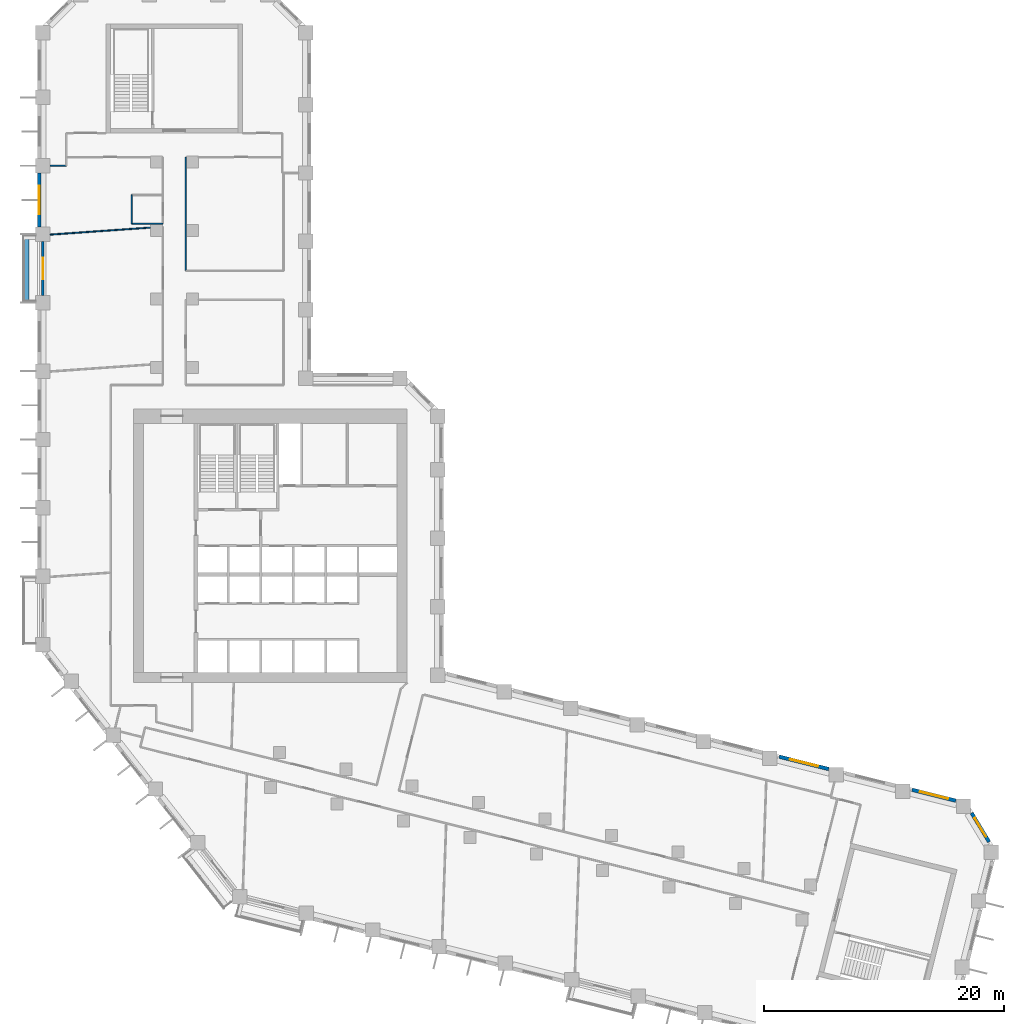
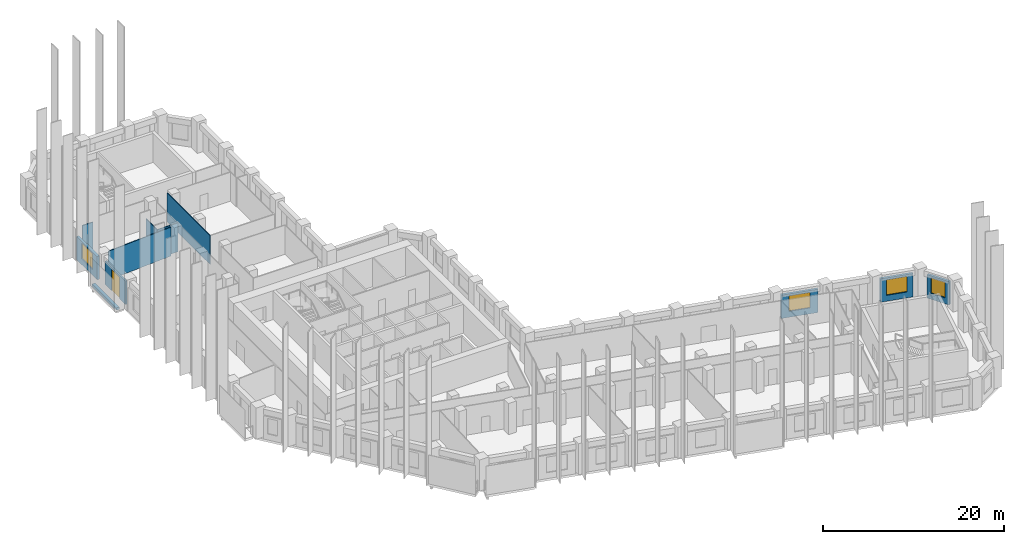
# One storey, part 7 of 10: 11 walls, 4 windows, 1 door, 5 openings.
"""IFC4 building model written with IfcOpenShell, lengths in metres."""

import ifcopenshell
import ifcopenshell.guid

model = None  # the IFC model being written
_history = None  # IfcOwnerHistory: only IFC2X3 demands one
_inside = {}  # id of a spatial element -> (the spatial element, [elements in it])
_under = {}  # id of a project, library or spatial element -> (it, [spatial elements below it])
_declared = {}  # id of a project -> (the project, [libraries it declares])
_typed = {}  # id of a type object -> (the type object, [elements of that type])
_made_of = {}  # id of a material, layer set ... -> (it, [elements and type objects made of it])


def new_model(schema):
    """Start an empty IFC model of exactly this schema.

    Asked for "IFC4X3", IfcOpenShell would pick the latest addendum, in which some entities
    have other attributes; the version numbers below select the first issue.
    IFC2X3 requires an IfcOwnerHistory on every rooted entity: one is made here for all.
    """
    global model, _history
    if schema == "IFC4X3":
        model = ifcopenshell.file(schema_version=(4, 3, 0, 0))
    else:
        model = ifcopenshell.file(schema=schema)
    _inside.clear()
    _under.clear()
    _declared.clear()
    _typed.clear()
    _made_of.clear()
    _history = None
    if model.schema == "IFC2X3":
        org = make("IfcOrganization", Name="unknown")
        user = make(
            "IfcPersonAndOrganization",
            ThePerson=make("IfcPerson", FamilyName="unknown"),
            TheOrganization=org,
        )
        app = make(
            "IfcApplication",
            ApplicationDeveloper=org,
            Version="unknown",
            ApplicationFullName="unknown",
            ApplicationIdentifier="unknown",
        )
        _history = make(
            "IfcOwnerHistory",
            OwningUser=user,
            OwningApplication=app,
            ChangeAction="ADDED",
            CreationDate=0,
        )
    return model


def make(cls, **values):
    """One entity of the class cls with the attributes given. An attribute that is None is left unset."""
    return model.create_entity(
        cls, **{name: value for name, value in values.items() if value is not None}
    )


def rooted(cls, **values):
    """An entity with a GlobalId (a new one), such as an element, a storey or a relation."""
    return make(cls, GlobalId=ifcopenshell.guid.new(), OwnerHistory=_history, **values)


def si_unit(unit_type, name, prefix=None):
    """IfcSIUnit, for example si_unit("LENGTHUNIT", "METRE", prefix="MILLI")."""
    return make("IfcSIUnit", UnitType=unit_type, Prefix=prefix, Name=name)


def assignment(units):
    """IfcUnitAssignment: the units of a project."""
    return None if units is None else make("IfcUnitAssignment", Units=units)


def point(xyz):
    """IfcCartesianPoint."""
    return None if xyz is None else make("IfcCartesianPoint", Coordinates=xyz)


def direction(xyz):
    """IfcDirection."""
    return None if xyz is None else make("IfcDirection", DirectionRatios=xyz)


def frame(location, z_axis=None, x_axis=None):
    """IfcAxis2Placement3D, a coordinate frame: its origin and axes. An axis left out is left unset."""
    return make(
        "IfcAxis2Placement3D",
        Location=point(location),
        Axis=direction(z_axis),
        RefDirection=direction(x_axis),
    )


def frame_2d(location, x_axis=None):
    """IfcAxis2Placement2D, a coordinate frame in the plane: its origin and x axis."""
    return make(
        "IfcAxis2Placement2D", Location=point(location), RefDirection=direction(x_axis)
    )


def origin():
    """The frame at (0, 0, 0) with its axes left unset."""
    return frame((0.0, 0.0, 0.0))


def place(relative_to, where):
    """IfcLocalPlacement: puts the frame where relative to a parent placement (None: the world)."""
    return make(
        "IfcLocalPlacement", PlacementRelTo=relative_to, RelativePlacement=where
    )


def context(
    kind, dimensions, precision=None, world=None, true_north=None, identifier=None
):
    """IfcGeometricRepresentationContext, for example the 3D "Model" context."""
    return make(
        "IfcGeometricRepresentationContext",
        ContextIdentifier=identifier,
        ContextType=kind,
        CoordinateSpaceDimension=dimensions,
        Precision=precision,
        WorldCoordinateSystem=world,
        TrueNorth=true_north,
    )


def subcontext(parent, identifier, kind, view, scale=None):
    """IfcGeometricRepresentationSubContext, for example "Body" below "Model"."""
    return make(
        "IfcGeometricRepresentationSubContext",
        ContextIdentifier=identifier,
        ContextType=kind,
        ParentContext=parent,
        TargetScale=scale,
        TargetView=view,
    )


def project(units=None, contexts=None):
    """IfcProject with its units and contexts."""
    return rooted(
        "IfcProject",
        Name="project",
        RepresentationContexts=contexts,
        UnitsInContext=assignment(units),
    )


def spatial(cls, under=None, at=None, **own):
    """A site, building, storey or space (cls), placed at a placement, below another one or the project."""
    s = rooted(cls, ObjectPlacement=at, **own)
    if under is not None:
        _under.setdefault(under.id(), (under, []))[1].append(s)
    return s


def profile(cls, at=None, kind="AREA", **sizes):
    """A parametric profile (cls). Its sizes go by their IFC names, for example OverallWidth=200.0."""
    return make(cls, ProfileType=kind, Position=at, **sizes)


def rectangle(**sizes):
    """IfcRectangleProfileDef."""
    return profile("IfcRectangleProfileDef", **sizes)


def extrude(swept, where, along, depth):
    """IfcExtrudedAreaSolid: the profile swept, set in the frame where, extruded along a direction by depth."""
    return make(
        "IfcExtrudedAreaSolid",
        SweptArea=swept,
        Position=where,
        ExtrudedDirection=direction(along),
        Depth=depth,
    )


def shape(context_of_items, identifier, shape_type, items):
    """IfcShapeRepresentation: the items that make up one representation, for example the "Body"."""
    return make(
        "IfcShapeRepresentation",
        ContextOfItems=context_of_items,
        RepresentationIdentifier=identifier,
        RepresentationType=shape_type,
        Items=items,
    )


def material(Name=None, Category=None):
    """IfcMaterial."""
    return make("IfcMaterial", Name=Name, Category=Category)


def layer(
    of_material, thickness, ventilated=None, Name=None, Category=None, Priority=None
):
    """IfcMaterialLayer: one layer of a wall or slab, of a material (None: an air gap)."""
    return make(
        "IfcMaterialLayer",
        Material=of_material,
        LayerThickness=thickness,
        IsVentilated=ventilated,
        Name=Name,
        Category=Category,
        Priority=Priority,
    )


def layer_set(layers, Name=None):
    """IfcMaterialLayerSet."""
    return make("IfcMaterialLayerSet", MaterialLayers=layers, LayerSetName=Name)


def made_of(thing, what):
    """Note that an element or type object is made of a material, layer set ...; save() writes the relation."""
    if what is not None:
        _made_of.setdefault(what.id(), (what, []))[1].append(thing)
    return thing


def type_object(cls, material=None, **own):
    """A type object (cls), such as IfcWallType, which elements share."""
    return made_of(rooted(cls, **own), material)


def element(
    cls,
    number,
    at=None,
    inside=None,
    cuts=None,
    type_object=None,
    material=None,
    context=None,
    identifier="Body",
    shape_type=None,
    held_by="IfcProductDefinitionShape",
    body=None,
    shapes=None,
    **own,
):
    """One element of the class cls, such as IfcWall. Its Tag is "e" and its number.

    at: its placement. inside: the storey or other place that contains it. cuts: it is an
    opening in that element (IfcRelVoidsElement). A single representation is given by context,
    identifier, shape_type and body (its items); several are given by shapes. held_by: the class
    of the entity that holds the representations. save() writes the other relations.
    """
    e = rooted(cls, Tag="e%d" % number, ObjectPlacement=at, **own)
    if body is not None:
        shapes = [shape(context, identifier, shape_type, body)]
    if shapes is not None:
        e.Representation = make(held_by, Representations=shapes)
    if inside is not None:
        _inside.setdefault(inside.id(), (inside, []))[1].append(e)
    if cuts is not None:
        rooted(
            "IfcRelVoidsElement", RelatingBuildingElement=cuts, RelatedOpeningElement=e
        )
    if type_object is not None:
        _typed.setdefault(type_object.id(), (type_object, []))[1].append(e)
    return made_of(e, material)


def fill(opening, filler):
    """IfcRelFillsElement: the door or window that sits in an opening."""
    return rooted(
        "IfcRelFillsElement",
        RelatingOpeningElement=opening,
        RelatedBuildingElement=filler,
    )


def aggregate(whole, parts):
    """IfcRelAggregates: a whole, such as a stair, and the parts it consists of."""
    return rooted("IfcRelAggregates", RelatingObject=whole, RelatedObjects=parts)


def save(model, path):
    """Write the relations noted so far, then the file.

    IfcRelAggregates (storeys below a building ...), IfcRelContainedInSpatialStructure (elements
    in a storey), IfcRelDefinesByType, IfcRelAssociatesMaterial and IfcRelDeclares: one each for
    every whole, place, type object, material and project.
    """
    for whole, parts in _under.values():
        aggregate(whole, parts)
    for where, things in _inside.values():
        rooted(
            "IfcRelContainedInSpatialStructure",
            RelatedElements=things,
            RelatingStructure=where,
        )
    for kind, things in _typed.values():
        rooted("IfcRelDefinesByType", RelatedObjects=things, RelatingType=kind)
    for what, things in _made_of.values():
        rooted("IfcRelAssociatesMaterial", RelatedObjects=things, RelatingMaterial=what)
    for by, libraries in _declared.values():
        rooted("IfcRelDeclares", RelatingContext=by, RelatedDefinitions=libraries)
    model.write(path)


model = new_model("IFC4")

# Units and contexts
model_context = context("Model", 3, precision=1e-05, world=origin(), true_north=direction((0.0, 1.0)))
body_context = subcontext(model_context, "Body", "Model", "MODEL_VIEW")
ifc_project = project(units=[si_unit("LENGTHUNIT", "METRE"), si_unit("AREAUNIT", "SQUARE_METRE"), si_unit("VOLUMEUNIT", "CUBIC_METRE"), si_unit("PLANEANGLEUNIT", "RADIAN"), si_unit("MASSUNIT", "GRAM", prefix="KILO")], contexts=[model_context])

# Site, building, storey
site_placement = place(None, origin())
site = spatial("IfcSite", under=ifc_project, at=site_placement, CompositionType="ELEMENT")
building_placement = place(site_placement, origin())
building = spatial("IfcBuilding", under=site, at=building_placement, Name="Meshkara Civic Tower", CompositionType="ELEMENT")
storey_placement = place(building_placement, frame((0.0, 0.0, 161.39990234375)))
storey = spatial("IfcBuildingStorey", under=building, at=storey_placement, Name="L36", CompositionType="ELEMENT", Elevation=161.39990234375)

# Wall
ifc_material_1 = material(Name="Corridor wall 100")
ifc_layer_1 = layer(ifc_material_1, 0.10009765625)
ifc_layer_set_1 = layer_set([ifc_layer_1], Name="Corridor wall 100")
wall_type_1 = type_object("IfcWallType", Name="Corridor wall 100", PredefinedType="PARTITIONING", material=ifc_layer_set_1)
wall_1_placement = place(storey_placement, frame((12.35009765625, 48.39990234375, 0.0), z_axis=(0.0, 0.0, 1.0), x_axis=(0.0, 1.0, 0.0)))
element("IfcWall", 1, at=wall_1_placement, inside=storey, type_object=wall_type_1, Name="L36-W015", PredefinedType="PARTITIONING", context=body_context, shape_type="SweptSolid", body=[
    extrude(rectangle(XDim=9.47021484375, YDim=0.10009765625, at=frame_2d((4.735107421875, 0.0))), origin(), (0.0, 0.0, 1.0), 3.900146484375),
])

# Wall, opening, window
ifc_material_2 = material(Name="Insulated infill panel with bronze anodised aluminium cladding", Category="aluminium")
ifc_layer_2 = layer(ifc_material_2, 0.300048828125)
ifc_layer_set_2 = layer_set([ifc_layer_2], Name="EXTERNAL INFILL WALL 300")
wall_type_2 = type_object("IfcWallType", Name="EXTERNAL INFILL WALL 300", PredefinedType="SOLIDWALL", material=ifc_layer_set_2)
wall_2_placement = place(storey_placement, frame((76.491943359375, 4.27197265625, 0.0), z_axis=(0.0, 0.0, 1.0), x_axis=(-0.970348377394, 0.241710625521, 0.0)))
wall_2 = element("IfcWall", 2, at=wall_2_placement, inside=storey, type_object=wall_type_2, Name="External wall", PredefinedType="SOLIDWALL", context=body_context, shape_type="SweptSolid", body=[
    extrude(rectangle(XDim=3.760498046875, YDim=0.300048828125, at=frame_2d((1.88037109375, 0.0))), origin(), (0.0, 0.0, 1.0), 3.150146484375),
])
opening_1_placement = place(wall_2_placement, frame((0.679931640625, 0.0, 0.800048828125)))
opening_1 = element("IfcOpeningElement", 3, at=opening_1_placement, cuts=wall_2, Name="Opening W7", PredefinedType="OPENING", context=body_context, shape_type="SweptSolid", body=[
    extrude(rectangle(XDim=2.39990234375, YDim=2.10009765625, at=frame_2d((1.199951171875, 1.050048828125))), frame((0.0, 0.159912109375, 0.0), z_axis=(0.0, -1.0, 0.0), x_axis=(1.0, 0.0, 0.0)), (0.0, 0.0, 1.0), 0.320068359375),
])
ifc_material_3 = material(Name="Tinted double glazing", Category="glass")
window_type_1 = type_object("IfcWindowType", Name="WINDOW 2400x2100", PartitioningType="DOUBLE_PANEL_VERTICAL", PredefinedType="WINDOW", material=ifc_material_3)
window_1_placement = place(opening_1_placement, origin())
window_1 = element("IfcWindow", 4, at=window_1_placement, inside=storey, type_object=window_type_1, Name="Window", OverallHeight=2.10009765625, OverallWidth=2.39990234375, PartitioningType="DOUBLE_PANEL_VERTICAL", PredefinedType="WINDOW", context=body_context, shape_type="SweptSolid", body=[
    extrude(rectangle(XDim=2.39990234375, YDim=2.10009765625, at=frame_2d((1.199951171875, 1.050048828125))), frame((0.0, 0.030029296875, 0.0), z_axis=(0.0, -1.0, 0.0), x_axis=(1.0, 0.0, 0.0)), (0.0, 0.0, 1.0), 0.06005859375),
])
fill(opening_1, window_1)

wall_3_placement = place(storey_placement, frame((65.90087890625, 6.912109375, 0.0), z_axis=(0.0, 0.0, 1.0), x_axis=(-0.970260760633, 0.242062091986, 0.0)))
wall_3 = element("IfcWall", 5, at=wall_3_placement, inside=storey, type_object=wall_type_2, Name="External wall", PredefinedType="SOLIDWALL", context=body_context, shape_type="SweptSolid", body=[
    extrude(rectangle(XDim=4.24609375, YDim=0.300048828125, at=frame_2d((2.123046875, 0.0))), origin(), (0.0, 0.0, 1.0), 3.150146484375),
])
opening_2_placement = place(wall_3_placement, frame((0.923095703125, 0.0, 0.800048828125)))
opening_2 = element("IfcOpeningElement", 6, at=opening_2_placement, cuts=wall_3, Name="Opening W7", PredefinedType="OPENING", context=body_context, shape_type="SweptSolid", body=[
    extrude(rectangle(XDim=2.39990234375, YDim=2.10009765625, at=frame_2d((1.199951171875, 1.050048828125))), frame((0.0, 0.159912109375, 0.0), z_axis=(0.0, -1.0, 0.0), x_axis=(1.0, 0.0, 0.0)), (0.0, 0.0, 1.0), 0.320068359375),
])
window_2_placement = place(opening_2_placement, origin())
window_2 = element("IfcWindow", 7, at=window_2_placement, inside=storey, type_object=window_type_1, Name="Window", OverallHeight=2.10009765625, OverallWidth=2.39990234375, PartitioningType="DOUBLE_PANEL_VERTICAL", PredefinedType="WINDOW", context=body_context, shape_type="SweptSolid", body=[
    extrude(rectangle(XDim=2.39990234375, YDim=2.10009765625, at=frame_2d((1.199951171875, 1.050048828125))), frame((0.0, 0.030029296875, 0.0), z_axis=(0.0, -1.0, 0.0), x_axis=(1.0, 0.0, 0.0)), (0.0, 0.0, 1.0), 0.06005859375),
])
fill(opening_2, window_2)

wall_4_placement = place(storey_placement, frame((0.14990234375, 56.554931640625, 0.0), z_axis=(0.0, 0.0, 1.0), x_axis=(0.0, -1.0, 0.0)))
wall_4 = element("IfcWall", 8, at=wall_4_placement, inside=storey, type_object=wall_type_2, Name="External wall", PredefinedType="SOLIDWALL", context=body_context, shape_type="SweptSolid", body=[
    extrude(rectangle(XDim=4.5, YDim=0.300048828125, at=frame_2d((2.25, 0.0))), origin(), (0.0, 0.0, 1.0), 3.150146484375),
])
opening_3_placement = place(wall_4_placement, frame((1.050048828125, 0.0, 0.800048828125)))
opening_3 = element("IfcOpeningElement", 9, at=opening_3_placement, cuts=wall_4, Name="Opening W7", PredefinedType="OPENING", context=body_context, shape_type="SweptSolid", body=[
    extrude(rectangle(XDim=2.39990234375, YDim=2.10009765625, at=frame_2d((1.199951171875, 1.050048828125))), frame((0.0, 0.159912109375, 0.0), z_axis=(0.0, -1.0, 0.0), x_axis=(1.0, 0.0, 0.0)), (0.0, 0.0, 1.0), 0.320068359375),
])
window_3_placement = place(opening_3_placement, origin())
window_3 = element("IfcWindow", 10, at=window_3_placement, inside=storey, type_object=window_type_1, Name="Window", OverallHeight=2.10009765625, OverallWidth=2.39990234375, PartitioningType="DOUBLE_PANEL_VERTICAL", PredefinedType="WINDOW", context=body_context, shape_type="SweptSolid", body=[
    extrude(rectangle(XDim=2.39990234375, YDim=2.10009765625, at=frame_2d((1.199951171875, 1.050048828125))), frame((0.0, 0.030029296875, 0.0), z_axis=(0.0, -1.0, 0.0), x_axis=(1.0, 0.0, 0.0)), (0.0, 0.0, 1.0), 0.06005859375),
])
fill(opening_3, window_3)

wall_5_placement = place(storey_placement, frame((79.257080078125, 0.839111328125, 0.0), z_axis=(0.0, 0.0, 1.0), x_axis=(-0.514992914014, 0.857194434487, 0.0)))
wall_5 = element("IfcWall", 11, at=wall_5_placement, inside=storey, type_object=wall_type_2, Name="External wall", PredefinedType="SOLIDWALL", context=body_context, shape_type="SweptSolid", body=[
    extrude(rectangle(XDim=2.81591796875, YDim=0.300048828125, at=frame_2d((1.407958984375, 0.0))), origin(), (0.0, 0.0, 1.0), 3.150146484375),
])
opening_4_placement = place(wall_5_placement, frame((0.508056640625, 0.0, 0.800048828125)))
opening_4 = element("IfcOpeningElement", 12, at=opening_4_placement, cuts=wall_5, Name="Opening W9", PredefinedType="OPENING", context=body_context, shape_type="SweptSolid", body=[
    extrude(rectangle(XDim=1.800048828125, YDim=2.10009765625, at=frame_2d((0.89990234375, 1.050048828125))), frame((0.0, 0.159912109375, 0.0), z_axis=(0.0, -1.0, 0.0), x_axis=(1.0, 0.0, 0.0)), (0.0, 0.0, 1.0), 0.320068359375),
])
ifc_material_4 = material(Name="Tinted double glazing", Category="glass")
window_type_2 = type_object("IfcWindowType", Name="WINDOW 1800x2100", PartitioningType="DOUBLE_PANEL_VERTICAL", PredefinedType="WINDOW", material=ifc_material_4)
window_4_placement = place(opening_4_placement, origin())
window_4 = element("IfcWindow", 13, at=window_4_placement, inside=storey, type_object=window_type_2, Name="Window", OverallHeight=2.10009765625, OverallWidth=1.800048828125, PartitioningType="DOUBLE_PANEL_VERTICAL", PredefinedType="WINDOW", context=body_context, shape_type="SweptSolid", body=[
    extrude(rectangle(XDim=1.800048828125, YDim=2.10009765625, at=frame_2d((0.89990234375, 1.050048828125))), frame((0.0, 0.030029296875, 0.0), z_axis=(0.0, -1.0, 0.0), x_axis=(1.0, 0.0, 0.0)), (0.0, 0.0, 1.0), 0.06005859375),
])
fill(opening_4, window_4)

# Wall, opening, door
ifc_material_5 = material(Name="Insulated infill panel with bronze anodised aluminium cladding", Category="aluminium")
ifc_layer_3 = layer(ifc_material_5, 0.199951171875)
ifc_layer_set_3 = layer_set([ifc_layer_3], Name="LOGGIA BACK WALL 200")
wall_type_3 = type_object("IfcWallType", Name="LOGGIA BACK WALL 200", PredefinedType="SOLIDWALL", material=ifc_layer_set_3)
wall_6_placement = place(storey_placement, frame((0.449951171875, 50.85498046875, 0.0), z_axis=(0.0, 0.0, 1.0), x_axis=(0.0, -1.0, 0.0)))
wall_6 = element("IfcWall", 14, at=wall_6_placement, inside=storey, type_object=wall_type_3, Name="Loggia wall", PredefinedType="SOLIDWALL", context=body_context, shape_type="SweptSolid", body=[
    extrude(rectangle(XDim=4.4990234375, YDim=0.199951171875, at=frame_2d((2.24951171875, 0.0))), origin(), (0.0, 0.0, 1.0), 3.150146484375),
])
opening_5_placement = place(wall_6_placement, frame((1.34912109375, 0.0, 0.0)))
opening_5 = element("IfcOpeningElement", 15, at=opening_5_placement, cuts=wall_6, Name="Opening L36-L001", PredefinedType="OPENING", context=body_context, shape_type="SweptSolid", body=[
    extrude(rectangle(XDim=1.800048828125, YDim=2.89990234375, at=frame_2d((0.89990234375, 1.449951171875))), frame((0.0, 0.10986328125, 0.0), z_axis=(0.0, -1.0, 0.0), x_axis=(1.0, 0.0, 0.0)), (0.0, 0.0, 1.0), 0.219970703125),
])
ifc_material_6 = material(Name="Tinted double glazing", Category="glass")
door_type = type_object("IfcDoorType", Name="LOGGIA DOOR 1800x2900", OperationType="DOUBLE_DOOR_SINGLE_SWING", PredefinedType="DOOR", material=ifc_material_6)
door_placement = place(opening_5_placement, origin())
door = element("IfcDoor", 16, at=door_placement, inside=storey, type_object=door_type, Name="L36-L001", OperationType="DOUBLE_DOOR_SINGLE_SWING", OverallHeight=2.89990234375, OverallWidth=1.800048828125, PredefinedType="DOOR", context=body_context, shape_type="SweptSolid", body=[
    extrude(rectangle(XDim=1.800048828125, YDim=2.89990234375, at=frame_2d((0.89990234375, 1.449951171875))), frame((0.0, 0.02490234375, 0.0), z_axis=(0.0, -1.0, 0.0), x_axis=(1.0, 0.0, 0.0)), (0.0, 0.0, 1.0), 0.050048828125),
])
fill(opening_5, door)

# Walls
ifc_material_7 = material(Name="Concrete C40", Category="concrete")
ifc_layer_4 = layer(ifc_material_7, 0.39990234375)
ifc_layer_set_4 = layer_set([ifc_layer_4], Name="PLANTER TRAY")
wall_type_4 = type_object("IfcWallType", Name="PLANTER TRAY", PredefinedType="SOLIDWALL", material=ifc_layer_set_4)
wall_7_placement = place(storey_placement, frame((-0.8798828125, 51.284912109375, 0.0), z_axis=(0.0, 0.0, 1.0), x_axis=(0.0, -1.0, 0.0)))
element("IfcWall", 17, at=wall_7_placement, inside=storey, type_object=wall_type_4, Name="Planter", PredefinedType="SOLIDWALL", context=body_context, shape_type="SweptSolid", body=[
    extrude(rectangle(XDim=5.35986328125, YDim=0.39990234375, at=frame_2d((2.679931640625, 0.0))), origin(), (0.0, 0.0, 1.0), 0.300048828125),
])
ifc_material_8 = material(Name="Partition 100")
ifc_layer_5 = layer(ifc_material_8, 0.10009765625)
ifc_layer_set_5 = layer_set([ifc_layer_5], Name="Partition 100")
wall_type_5 = type_object("IfcWallType", Name="Partition 100", PredefinedType="PARTITIONING", material=ifc_layer_set_5)
wall_8_placement = place(storey_placement, frame((2.39990234375, 57.155029296875, 0.0), z_axis=(0.0, 0.0, 1.0), x_axis=(-1.0, 0.0, 0.0)))
element("IfcWall", 18, at=wall_8_placement, inside=storey, type_object=wall_type_5, Name="L36-W039", PredefinedType="PARTITIONING", context=body_context, shape_type="SweptSolid", body=[
    extrude(rectangle(XDim=1.349853515625, YDim=0.10009765625, at=frame_2d((0.6748046875, 0.0))), origin(), (0.0, 0.0, 1.0), 3.900146484375),
])
wall_9_placement = place(storey_placement, frame((7.85009765625, 52.320068359375, 0.0), z_axis=(0.0, 0.0, 1.0), x_axis=(0.0, 1.0, 0.0)))
element("IfcWall", 19, at=wall_9_placement, inside=storey, type_object=wall_type_5, Name="L36-W043", PredefinedType="PARTITIONING", context=body_context, shape_type="SweptSolid", body=[
    extrude(rectangle(XDim=2.39990234375, YDim=0.10009765625, at=frame_2d((1.199951171875, 0.0))), origin(), (0.0, 0.0, 1.0), 3.900146484375),
])
wall_10_placement = place(storey_placement, frame((9.39990234375, 52.0009765625, 0.0), z_axis=(0.0, 0.0, 1.0), x_axis=(-0.997555044264, -0.069885146225, 0.0)))
element("IfcWall", 20, at=wall_10_placement, inside=storey, type_object=wall_type_5, Name="L36-W047", PredefinedType="PARTITIONING", context=body_context, shape_type="SweptSolid", body=[
    extrude(rectangle(XDim=8.370361328125, YDim=0.10009765625, at=frame_2d((4.18505859375, 0.0))), origin(), (0.0, 0.0, 1.0), 3.900146484375),
])
wall_11_placement = place(storey_placement, frame((10.449951171875, 52.320068359375, 0.0), z_axis=(0.0, 0.0, 1.0), x_axis=(-1.0, 0.0, 0.0)))
element("IfcWall", 21, at=wall_11_placement, inside=storey, type_object=wall_type_5, Name="L36-W048", PredefinedType="PARTITIONING", context=body_context, shape_type="SweptSolid", body=[
    extrude(rectangle(XDim=2.599853515625, YDim=0.10009765625, at=frame_2d((1.2998046875, 0.0))), origin(), (0.0, 0.0, 1.0), 3.900146484375),
])

save(model, "model.ifc")
